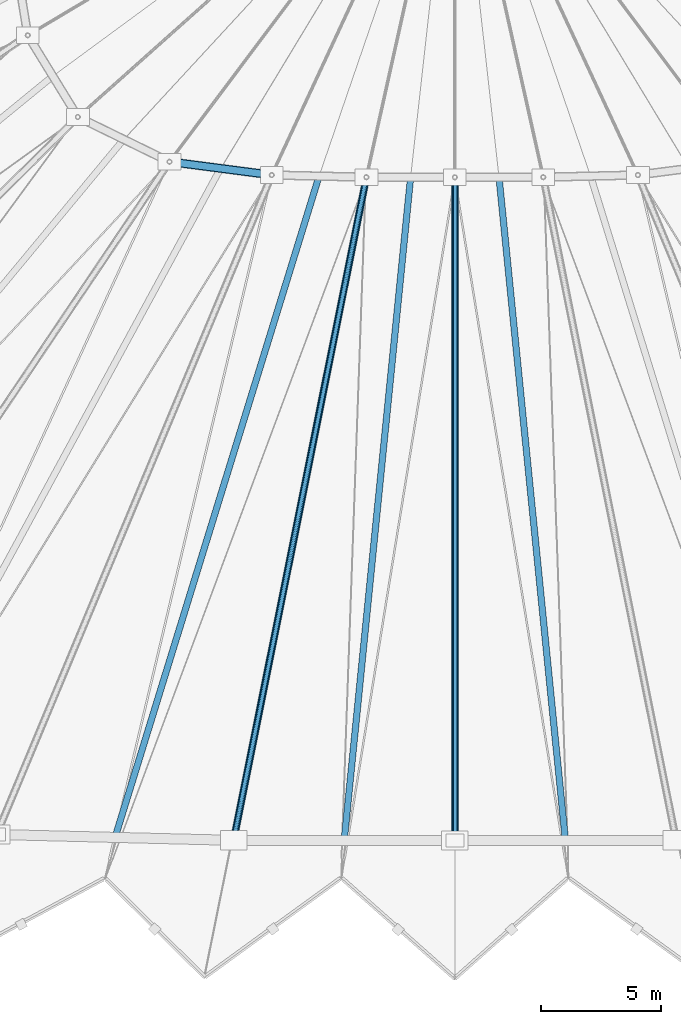
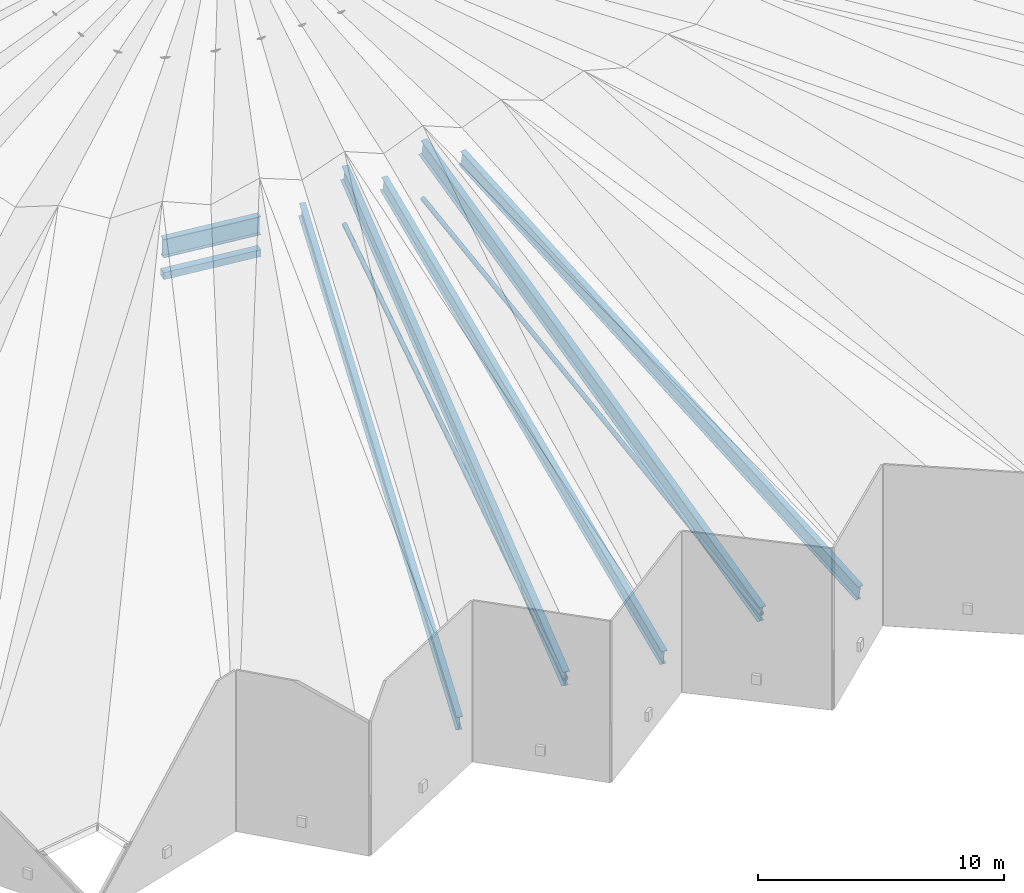
# One storey, part 3 of 41: 6 beams, 3 members.
"""IFC4 building model written with IfcOpenShell, lengths in metres."""

from ifc_helpers import new_model, si_unit, direction, frame, origin, origin_2d, place, context, subcontext, project, spatial, hollow_rectangle, hollow_circle, i_section, extrude, material, material_profile, profile_set, type_object, element, save


model = new_model("IFC4")

# Units and contexts
model_context = context("Model", 3, precision=1e-05, world=origin(), true_north=direction((0.0, 1.0)))
body_context = subcontext(model_context, "Body", "Model", "MODEL_VIEW")
ifc_project = project(units=[si_unit("LENGTHUNIT", "METRE"), si_unit("AREAUNIT", "SQUARE_METRE"), si_unit("VOLUMEUNIT", "CUBIC_METRE"), si_unit("PLANEANGLEUNIT", "RADIAN"), si_unit("MASSUNIT", "GRAM", prefix="KILO")], contexts=[model_context])

# Site, building, storey
site_placement = place(None, origin())
site = spatial("IfcSite", under=ifc_project, at=site_placement, CompositionType="ELEMENT")
building_placement = place(site_placement, origin())
building = spatial("IfcBuilding", under=site, at=building_placement, Name="Luwafu Chhajja Arena", CompositionType="ELEMENT")
storey_placement = place(building_placement, frame((0.0, 0.0, 29.699951171875)))
storey = spatial("IfcBuildingStorey", under=building, at=storey_placement, Name="RF", CompositionType="ELEMENT", Elevation=29.699951171875)

# Beams
ifc_material = material(Name="Steel S355", Category="steel")
ifc_material_profile_1 = material_profile(ifc_material, i_section(OverallWidth=0.29248046875, OverallDepth=0.8408203125, WebThickness=0.0146484375, FlangeThickness=0.021728515625, at=origin_2d()), Name="UB 838x292x194")
ifc_profile_set_1 = profile_set([ifc_material_profile_1], Name="Steel S355")
beam_type_1 = type_object("IfcBeamType", Name="Folded Roof Ridge Girder UB 838x292x194", PredefinedType="BEAM", material=ifc_profile_set_1)
beam_1_placement = place(storey_placement, frame((89.792724609375, 5.411865234375, 0.179931640625), z_axis=(0.191411716732, 0.955359513043, 0.225055005577), x_axis=(-0.980513548882, 0.196451471, 0.0)))
element("IfcBeam", 1, at=beam_1_placement, inside=storey, type_object=beam_type_1, Name="Roof truss ridge beam FR-24", PredefinedType="BEAM", context=body_context, shape_type="SweptSolid", body=[
    extrude(i_section(OverallWidth=0.29248046875, OverallDepth=0.8408203125, WebThickness=0.0146484375, FlangeThickness=0.021728515625, at=origin_2d()), origin(), (0.0, 0.0, 1.0), 28.8818359375),
])
beam_2_placement = place(storey_placement, frame((99.0, 5.39990234375, 0.179931640625), z_axis=(0.0, 0.973371077583, 0.229235131089), x_axis=(-1.0, 0.0, 0.0)))
element("IfcBeam", 2, at=beam_2_placement, inside=storey, type_object=beam_type_1, Name="Roof truss ridge beam FR-25", PredefinedType="BEAM", context=body_context, shape_type="SweptSolid", body=[
    extrude(i_section(OverallWidth=0.29248046875, OverallDepth=0.8408203125, WebThickness=0.0146484375, FlangeThickness=0.021728515625, at=origin_2d()), origin(), (0.0, 0.0, 1.0), 28.355224609375),
])
ifc_material_profile_2 = material_profile(ifc_material, i_section(OverallWidth=0.2666015625, OverallDepth=0.76220703125, WebThickness=0.014404296875, FlangeThickness=0.021484375, at=origin_2d()), Name="UB 762x267x173")
ifc_profile_set_2 = profile_set([ifc_material_profile_2], Name="Steel S355")
beam_type_2 = type_object("IfcBeamType", Name="Folded Roof Valley Girder UB 762x267x173", PredefinedType="BEAM", material=ifc_profile_set_2)
beam_3_placement = place(storey_placement, frame((84.86279296875, 5.53369140625, -0.3798828125), z_axis=(0.288785431245, 0.936116966661, 0.200718707224), x_axis=(-0.955563723311, 0.294784617463, 0.0)))
element("IfcBeam", 3, at=beam_3_placement, inside=storey, type_object=beam_type_2, Name="Roof truss valley beam FV-23", PredefinedType="BEAM", context=body_context, shape_type="SweptSolid", body=[
    extrude(i_section(OverallWidth=0.2666015625, OverallDepth=0.76220703125, WebThickness=0.014404296875, FlangeThickness=0.021484375, at=origin_2d()), origin(), (0.0, 0.0, 1.0), 29.393798828125),
])
for number, where, z_axis, x_axis, name in (
    (4, (94.396484375, 5.406005859375, -0.3798828125), (0.097484460331, 0.973243109793, 0.208073614941), (-0.995020965821, 0.099665829529, 0.0), "Roof truss valley beam FV-24"),
    (5, (103.603515625, 5.406005859375, -0.3798828125), (-0.097484460331, 0.973243109793, 0.208073614941), (-0.995020965821, -0.099665829529, 0.0), "Roof truss valley beam FV-25"),
):
    element("IfcBeam", number, at=place(storey_placement, frame(where, z_axis=z_axis, x_axis=x_axis)), inside=storey, type_object=beam_type_2, Name=name, PredefinedType="BEAM", context=body_context, shape_type="SweptSolid", body=[
        extrude(i_section(OverallWidth=0.2666015625, OverallDepth=0.76220703125, WebThickness=0.014404296875, FlangeThickness=0.021484375, at=origin_2d()), origin(), (0.0, 0.0, 1.0), 28.35498046875),
    ])
ifc_material_profile_3 = material_profile(ifc_material, i_section(OverallWidth=0.305419921875, OverallDepth=0.91845703125, WebThickness=0.017333984375, FlangeThickness=0.02783203125, at=origin_2d()), Name="UB 914x305x253")
ifc_profile_set_3 = profile_set([ifc_material_profile_3], Name="Steel S355")
beam_type_3 = type_object("IfcBeamType", Name="Inner Tension Ring Girder UB 914x305x253", PredefinedType="BEAM", material=ifc_profile_set_3)
beam_4_placement = place(storey_placement, frame((87.125732421875, 33.64990234375, 5.449951171875), z_axis=(0.9916194337, -0.129193261083, 0.0), x_axis=(0.129193261083, 0.9916194337, 0.0)))
element("IfcBeam", 6, at=beam_4_placement, inside=storey, type_object=beam_type_3, Name="Roof Inner Tension Ring Beam IR-22", PredefinedType="BEAM", context=body_context, shape_type="SweptSolid", body=[
    extrude(i_section(OverallWidth=0.305419921875, OverallDepth=0.91845703125, WebThickness=0.017333984375, FlangeThickness=0.02783203125, at=origin_2d()), origin(), (0.0, 0.0, 1.0), 4.29150390625),
])

# Members
ifc_material_profile_4 = material_profile(ifc_material, hollow_rectangle(XDim=0.35009765625, YDim=0.35009765625, WallThickness=0.01611328125, at=origin_2d()), Name="SHS 350x350x16")
ifc_profile_set_4 = profile_set([ifc_material_profile_4], Name="Steel S355")
member_type_1 = type_object("IfcMemberType", Name="Ring Stabilizing Truss Chord SHS 350", PredefinedType="CHORD", material=ifc_profile_set_4)
member_1_placement = place(storey_placement, frame((87.125732421875, 33.64990234375, 4.10009765625), z_axis=(0.9916194337, -0.129193261083, 0.0), x_axis=(0.129193261083, 0.9916194337, 0.0)))
element("IfcMember", 7, at=member_1_placement, inside=storey, type_object=member_type_1, Name="Roof Inner Stabilizing Ring Chord IRC-22", PredefinedType="CHORD", context=body_context, shape_type="SweptSolid", body=[
    extrude(hollow_rectangle(XDim=0.35009765625, YDim=0.35009765625, WallThickness=0.01611328125, at=origin_2d()), origin(), (0.0, 0.0, 1.0), 4.29150390625),
])
ifc_material_profile_5 = material_profile(ifc_material, hollow_circle(Radius=0.109619140625, WallThickness=0.010009765625, at=origin_2d()), Name="CHS 219.1x10")
ifc_profile_set_5 = profile_set([ifc_material_profile_5], Name="Steel S355")
member_type_2 = type_object("IfcMemberType", Name="Roof Plan Wind Plan Brace CHS 219", PredefinedType="BRACE", material=ifc_profile_set_5)
member_2_placement = place(storey_placement, frame((89.792724609375, 5.411865234375, 0.179931640625), z_axis=(0.194572617053, 0.971135956843, 0.13797264229), x_axis=(-0.980513548882, 0.196451471, 0.0)))
element("IfcMember", 8, at=member_2_placement, inside=storey, type_object=member_type_2, Name="Roof truss diagonal web RW-24", PredefinedType="BRACE", context=body_context, shape_type="SweptSolid", body=[
    extrude(hollow_circle(Radius=0.109619140625, WallThickness=0.010009765625, at=origin_2d()), origin(), (0.0, 0.0, 1.0), 28.41259765625),
])
member_3_placement = place(storey_placement, frame((99.0, 5.39990234375, 0.179931640625), z_axis=(0.0, 0.990063197735, 0.140623129288), x_axis=(-1.0, 0.0, 0.0)))
element("IfcMember", 9, at=member_3_placement, inside=storey, type_object=member_type_2, Name="Roof truss diagonal web RW-25", PredefinedType="BRACE", context=body_context, shape_type="SweptSolid", body=[
    extrude(hollow_circle(Radius=0.109619140625, WallThickness=0.010009765625, at=origin_2d()), origin(), (0.0, 0.0, 1.0), 27.877197265625),
])

save(model, "model.ifc")
